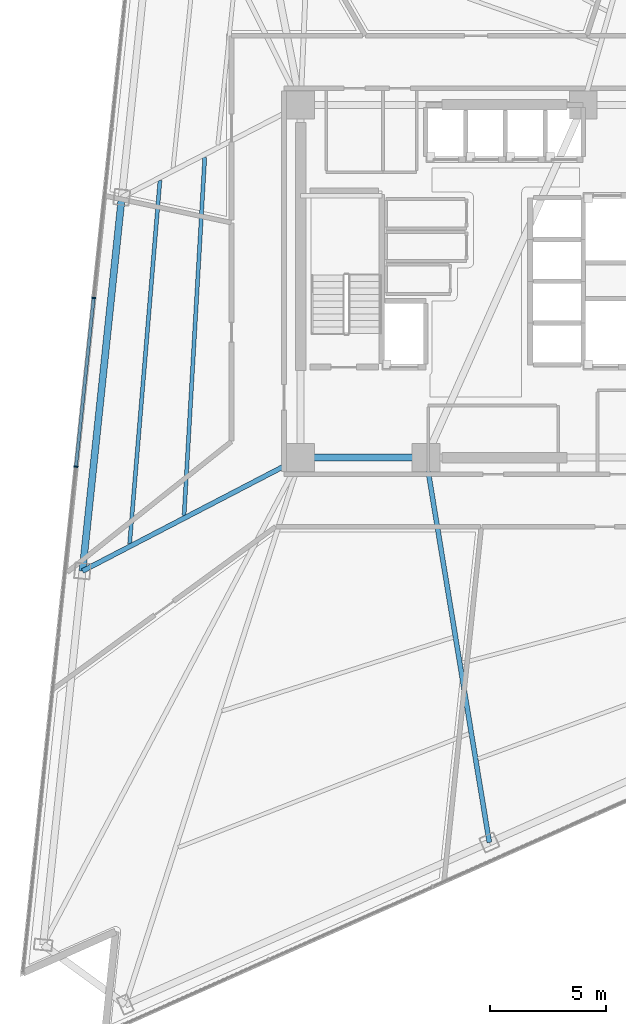
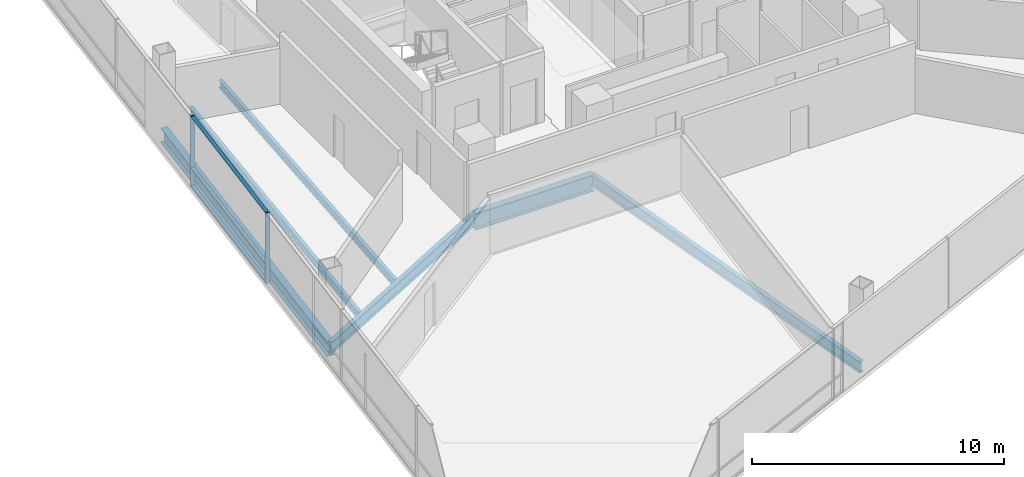
# One storey, part 4 of 19: 6 beams, 5 members, 1 element without a shape of its own.
"""IFC4 building model written with IfcOpenShell, lengths in metres."""

from ifc_helpers import new_model, si_unit, direction, frame, origin, origin_2d, place, context, subcontext, project, spatial, rectangle, i_section, extrude, material, layer, layer_set, material_profile, profile_set, type_object, element, aggregate, save


model = new_model("IFC4")

# Units and contexts
model_context = context("Model", 3, precision=1e-05, world=origin(), true_north=direction((0.0, 1.0)))
body_context = subcontext(model_context, "Body", "Model", "MODEL_VIEW")
ifc_project = project(units=[si_unit("LENGTHUNIT", "METRE"), si_unit("AREAUNIT", "SQUARE_METRE"), si_unit("VOLUMEUNIT", "CUBIC_METRE"), si_unit("PLANEANGLEUNIT", "RADIAN"), si_unit("MASSUNIT", "GRAM", prefix="KILO")], contexts=[model_context])

# Site, building, storey
site_placement = place(None, origin())
site = spatial("IfcSite", under=ifc_project, at=site_placement, CompositionType="ELEMENT")
building_placement = place(site_placement, origin())
building = spatial("IfcBuilding", under=site, at=building_placement, Name="Tharavind Bronze Gate", CompositionType="ELEMENT")
storey_placement = place(building_placement, frame((0.0, 0.0, 116.050048828125)))
storey = spatial("IfcBuildingStorey", under=building, at=storey_placement, Name="L29", CompositionType="ELEMENT", Elevation=116.050048828125)

# Curtain wall, members
ifc_material_1 = material(Name="Anodised Bronze Aluminium", Category="aluminium")
ifc_layer = layer(ifc_material_1, 0.219970703125)
ifc_layer_set = layer_set([ifc_layer], Name="Anodised Bronze Aluminium")
curtain_wall_type = type_object("IfcCurtainWallType", Name="UNITISED CURTAIN WALL LOWER OFFICE", PredefinedType="USERDEFINED", material=ifc_layer_set)
curtain_wall_placement = place(storey_placement, origin())
curtain_wall = element("IfcCurtainWall", 1, at=curtain_wall_placement, inside=storey, type_object=curtain_wall_type, Name="L29 unitised curtain wall lower office CW-L29-S1", ObjectType="UNITISED CURTAIN WALL", PredefinedType="USERDEFINED")
member_type_1 = type_object("IfcMemberType", Name="CURTAIN WALL BRONZE MULLION 65X180", PredefinedType="MULLION", material=ifc_material_1)
member_1_placement = place(storey_placement, frame((-17.82080078125, -0.71826171875, 0.0), z_axis=(0.0, 0.0, 1.0), x_axis=(-0.104526727499, -0.994522077803, 0.0)))
member_1 = element("IfcMember", 2, at=member_1_placement, type_object=member_type_1, Name="CW-L29-S1 mullion 4", PredefinedType="MULLION", context=body_context, shape_type="SweptSolid", body=[
    extrude(rectangle(XDim=0.06494140625, YDim=0.179931640625, at=origin_2d()), origin(), (0.0, 0.0, 1.0), 3.409912109375),
])
member_2_placement = place(storey_placement, frame((-18.58544921875, -7.991455078125, 0.0), z_axis=(0.0, 0.0, 1.0), x_axis=(-0.104526727499, -0.994522077803, 0.0)))
member_2 = element("IfcMember", 3, at=member_2_placement, type_object=member_type_1, Name="CW-L29-S1 mullion 5", PredefinedType="MULLION", context=body_context, shape_type="SweptSolid", body=[
    extrude(rectangle(XDim=0.06494140625, YDim=0.179931640625, at=origin_2d()), origin(), (0.0, 0.0, 1.0), 3.409912109375),
])
member_type_2 = type_object("IfcMemberType", Name="CURTAIN WALL BRONZE TRANSOM 65X140", PredefinedType="USERDEFINED", material=ifc_material_1)
member_3_placement = place(storey_placement, frame((-18.203125, -4.354736328125, 0.0), z_axis=(0.0, 0.0, 1.0), x_axis=(-0.104526727499, -0.994522077803, 0.0)))
member_3 = element("IfcMember", 4, at=member_3_placement, type_object=member_type_2, Name="CW-L29-S1 transom TB4", ObjectType="TRANSOM", PredefinedType="USERDEFINED", context=body_context, shape_type="SweptSolid", body=[
    extrude(rectangle(XDim=7.26025390625, YDim=0.139892578125, at=origin_2d()), origin(), (0.0, 0.0, 1.0), 0.06494140625),
])
member_4_placement = place(storey_placement, frame((-18.203125, -4.354736328125, 0.867431640625), z_axis=(0.0, 0.0, 1.0), x_axis=(-0.104526727499, -0.994522077803, 0.0)))
member_4 = element("IfcMember", 5, at=member_4_placement, type_object=member_type_2, Name="CW-L29-S1 transom TS4", ObjectType="TRANSOM", PredefinedType="USERDEFINED", context=body_context, shape_type="SweptSolid", body=[
    extrude(rectangle(XDim=7.26025390625, YDim=0.139892578125, at=origin_2d()), origin(), (0.0, 0.0, 1.0), 0.06494140625),
])
member_5_placement = place(storey_placement, frame((-18.203125, -4.354736328125, 3.344970703125), z_axis=(0.0, 0.0, 1.0), x_axis=(-0.104526727499, -0.994522077803, 0.0)))
member_5 = element("IfcMember", 6, at=member_5_placement, type_object=member_type_2, Name="CW-L29-S1 transom TT4", ObjectType="TRANSOM", PredefinedType="USERDEFINED", context=body_context, shape_type="SweptSolid", body=[
    extrude(rectangle(XDim=7.26025390625, YDim=0.139892578125, at=origin_2d()), origin(), (0.0, 0.0, 1.0), 0.06494140625),
])
aggregate(curtain_wall, [member_1, member_2, member_3, member_4, member_5])

# Beams
ifc_material_2 = material(Name="Steel S355", Category="steel")
ifc_material_profile_1 = material_profile(ifc_material_2, i_section(OverallWidth=0.2099609375, OverallDepth=0.550048828125, WebThickness=0.010986328125, FlangeThickness=0.01708984375, at=origin_2d()), Name="IPE550")
ifc_profile_set_1 = profile_set([ifc_material_profile_1], Name="Steel S355")
beam_type_1 = type_object("IfcBeamType", Name="PRIMARY GIRDER IPE550", PredefinedType="USERDEFINED", material=ifc_profile_set_1)
beam_1_placement = place(storey_placement, frame((-18.303955078125, -12.488037109375, -0.465087890625), z_axis=(0.887300514785, 0.46119171335, 0.0), x_axis=(-0.46119171335, 0.887300514785, 0.0)))
element("IfcBeam", 7, at=beam_1_placement, inside=storey, type_object=beam_type_1, Name="L29 primary girder ipe550 BM-L29-RAD03", ObjectType="GIRDER", PredefinedType="USERDEFINED", context=body_context, shape_type="SweptSolid", body=[
    extrude(i_section(OverallWidth=0.2099609375, OverallDepth=0.550048828125, WebThickness=0.010986328125, FlangeThickness=0.01708984375, at=origin_2d()), origin(), (0.0, 0.0, 1.0), 10.598388671875),
])
beam_2_placement = place(storey_placement, frame((-0.766357421875, -24.18798828125, -0.465087890625), z_axis=(-0.162604251404, 0.986691368882, 0.0), x_axis=(-0.986691368882, -0.162604251404, 0.0)))
element("IfcBeam", 8, at=beam_2_placement, inside=storey, type_object=beam_type_1, Name="L29 primary girder ipe550 BM-L29-RAD06", ObjectType="GIRDER", PredefinedType="USERDEFINED", context=body_context, shape_type="SweptSolid", body=[
    extrude(i_section(OverallWidth=0.2099609375, OverallDepth=0.550048828125, WebThickness=0.010986328125, FlangeThickness=0.01708984375, at=origin_2d()), origin(), (0.0, 0.0, 1.0), 16.8115234375),
])
ifc_material_profile_2 = material_profile(ifc_material_2, i_section(OverallWidth=0.300048828125, OverallDepth=0.699951171875, WebThickness=0.01708984375, FlangeThickness=0.031982421875, at=origin_2d()), Name="HE700B")
ifc_profile_set_2 = profile_set([ifc_material_profile_2], Name="Steel S355")
beam_type_2 = type_object("IfcBeamType", Name="RING GIRDER HE700B", PredefinedType="USERDEFINED", material=ifc_profile_set_2)
beam_3_placement = place(storey_placement, frame((-16.610595703125, 3.62158203125, -0.5400390625), z_axis=(-0.104538854147, -0.994520803188, 0.0), x_axis=(0.994520803188, -0.104538854147, 0.0)))
element("IfcBeam", 9, at=beam_3_placement, inside=storey, type_object=beam_type_2, Name="L29 ring girder he700b BM-L29-PRG02", ObjectType="GIRDER", PredefinedType="USERDEFINED", context=body_context, shape_type="SweptSolid", body=[
    extrude(i_section(OverallWidth=0.300048828125, OverallDepth=0.699951171875, WebThickness=0.01708984375, FlangeThickness=0.031982421875, at=origin_2d()), origin(), (0.0, 0.0, 1.0), 16.198486328125),
])
ifc_material_profile_3 = material_profile(ifc_material_2, i_section(OverallWidth=0.300048828125, OverallDepth=0.800048828125, WebThickness=0.017578125, FlangeThickness=0.032958984375, at=origin_2d()), Name="HE800B")
ifc_profile_set_3 = profile_set([ifc_material_profile_3], Name="Steel S355")
beam_type_3 = type_object("IfcBeamType", Name="RING GIRDER HE800B", PredefinedType="USERDEFINED", material=ifc_profile_set_3)
beam_4_placement = place(storey_placement, frame((-8.89990234375, -7.60009765625, -0.590087890625), z_axis=(1.0, 0.0, 0.0), x_axis=(0.0, 1.0, 0.0)))
element("IfcBeam", 10, at=beam_4_placement, inside=storey, type_object=beam_type_3, Name="L29 ring girder he800b BM-L29-CR1", ObjectType="GIRDER", PredefinedType="USERDEFINED", context=body_context, shape_type="SweptSolid", body=[
    extrude(i_section(OverallWidth=0.300048828125, OverallDepth=0.800048828125, WebThickness=0.017578125, FlangeThickness=0.032958984375, at=origin_2d()), origin(), (0.0, 0.0, 1.0), 5.39990234375),
])
ifc_material_profile_4 = material_profile(ifc_material_2, i_section(OverallWidth=0.169921875, OverallDepth=0.360107421875, WebThickness=0.008056640625, FlangeThickness=0.0126953125, at=origin_2d()), Name="IPE360")
ifc_profile_set_4 = profile_set([ifc_material_profile_4], Name="Steel S355")
beam_type_4 = type_object("IfcBeamType", Name="SECONDARY FLOOR JOIST IPE360", PredefinedType="JOIST", material=ifc_profile_set_4)
beam_5_placement = place(storey_placement, frame((-13.032470703125, 5.345703125, -0.3701171875), z_axis=(-0.057653739609, -0.998336639771, 0.0), x_axis=(0.998336639771, -0.057653739609, 0.0)))
element("IfcBeam", 11, at=beam_5_placement, inside=storey, type_object=beam_type_4, Name="L29 secondary floor joist ipe360 BM-L29-JSTA02", PredefinedType="JOIST", context=body_context, shape_type="SweptSolid", body=[
    extrude(i_section(OverallWidth=0.169921875, OverallDepth=0.360107421875, WebThickness=0.008056640625, FlangeThickness=0.0126953125, at=origin_2d()), origin(), (0.0, 0.0, 1.0), 15.46044921875),
])
beam_6_placement = place(storey_placement, frame((-14.96337890625, 4.349609375, -0.3701171875), z_axis=(-0.083246063349, -0.996529022626, 0.0), x_axis=(0.996529022626, -0.083246063349, 0.0)))
element("IfcBeam", 12, at=beam_6_placement, inside=storey, type_object=beam_type_4, Name="L29 secondary floor joist ipe360 BM-L29-JSTB02", PredefinedType="JOIST", context=body_context, shape_type="SweptSolid", body=[
    extrude(i_section(OverallWidth=0.169921875, OverallDepth=0.360107421875, WebThickness=0.008056640625, FlangeThickness=0.0126953125, at=origin_2d()), origin(), (0.0, 0.0, 1.0), 15.713623046875),
])

save(model, "model.ifc")
